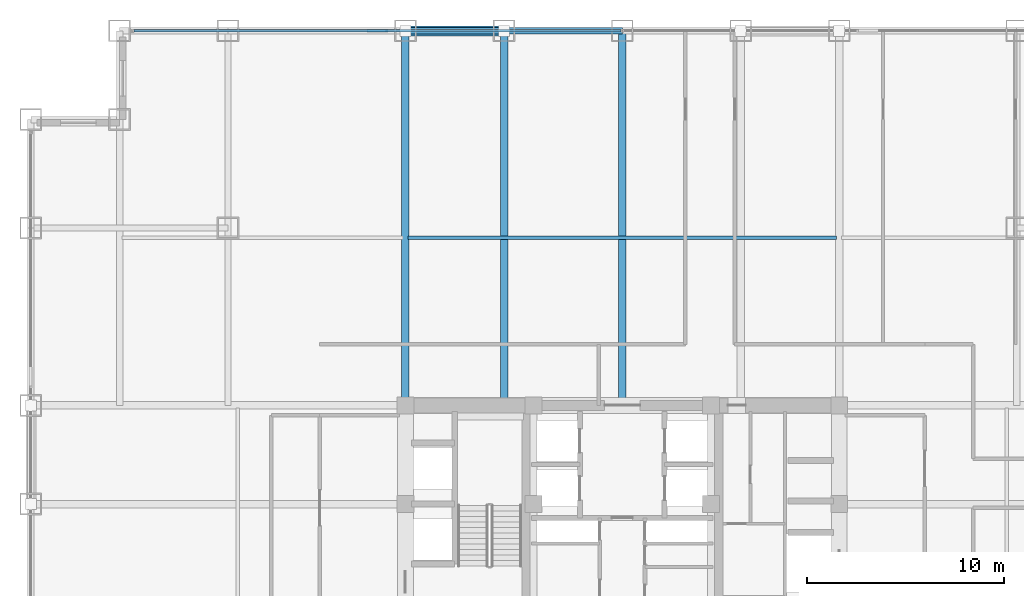
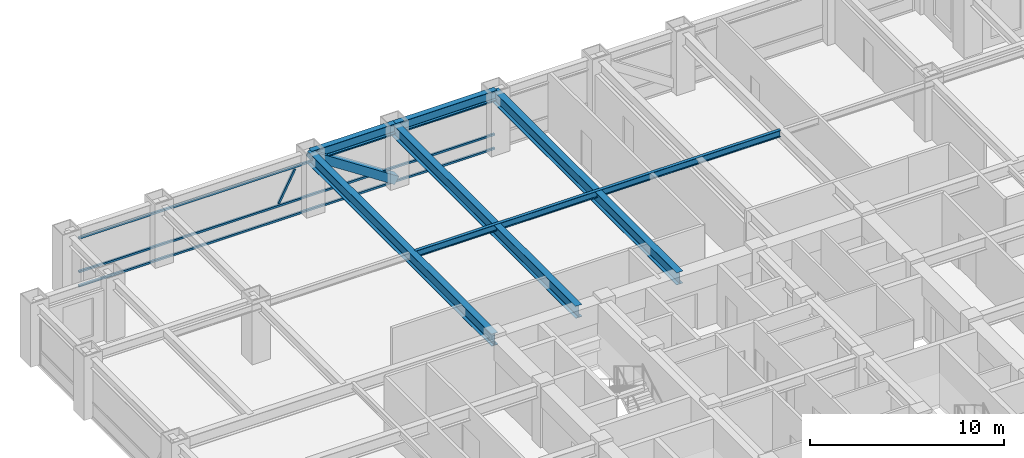
# One storey, part 15 of 24: 6 beams, 5 members, 1 element without a shape of its own.
"""IFC4 building model written with IfcOpenShell, lengths in metres."""

from ifc_helpers import new_model, si_unit, direction, frame, origin, origin_2d, place, context, subcontext, project, spatial, hollow_rectangle, i_section, extrude, source, transform, mapped, material, material_profile, profile_set, type_object, element, aggregate, save


model = new_model("IFC4")

# Units and contexts
model_context = context("Model", 3, precision=1e-05, world=origin(), true_north=direction((0.0, 1.0)))
body_context = subcontext(model_context, "Body", "Model", "MODEL_VIEW")
ifc_project = project(units=[si_unit("LENGTHUNIT", "METRE"), si_unit("AREAUNIT", "SQUARE_METRE"), si_unit("VOLUMEUNIT", "CUBIC_METRE"), si_unit("PLANEANGLEUNIT", "RADIAN"), si_unit("MASSUNIT", "GRAM", prefix="KILO")], contexts=[model_context])

# Site, building, storey
site_placement = place(None, origin())
site = spatial("IfcSite", under=ifc_project, at=site_placement, CompositionType="ELEMENT")
building_placement = place(site_placement, origin())
building = spatial("IfcBuilding", under=site, at=building_placement, Name="Khorayat Bourse Tower", CompositionType="ELEMENT")
storey_placement = place(building_placement, frame((0.0, 0.0, 163.10009765625)))
storey = spatial("IfcBuildingStorey", under=building, at=storey_placement, Name="L37", CompositionType="ELEMENT", Elevation=163.10009765625)

# Beams
ifc_material_1 = material(Name="Steel ASTM A992 Grade 50", Category="steel")
ifc_material_profile_1 = material_profile(ifc_material_1, i_section(OverallWidth=0.381103515625, OverallDepth=0.77294921875, WebThickness=0.0166015625, FlangeThickness=0.027587890625, FilletRadius=0.01806640625, at=origin_2d()), Name="W760X257")
ifc_profile_set_1 = profile_set([ifc_material_profile_1], Name="Steel ASTM A992 Grade 50")
beam_type_1 = type_object("IfcBeamType", Name="BM-GIRD-760", PredefinedType="BEAM", material=ifc_profile_set_1)
shared_shape_1 = source(origin(), body_context, "Body", "SweptSolid", [
    extrude(i_section(OverallWidth=0.381103515625, OverallDepth=0.77294921875, WebThickness=0.0166015625, FlangeThickness=0.027587890625, FilletRadius=0.01806640625, at=origin_2d()), origin(), (0.0, 0.0, 1.0), 19.0),
])
for number, where, z_axis, x_axis, name in (
    (1, (-11.0, 11.0, 3.393310546875), (0.0, 1.0, 0.0), (-1.0, 0.0, 0.0), "L37 BM-GIRD-760 BM-L37-RADY-064"),
    (2, (-6.0, 11.0, 3.393310546875), (0.0, 1.0, 0.0), (-1.0, 0.0, 0.0), "L37 BM-GIRD-760 BM-L37-RADY-066"),
    (3, (0.0, 11.0, 3.393310546875), (0.0, 1.0, 0.0), (-1.0, 0.0, 0.0), "L37 BM-GIRD-760 BM-L37-RADY-068"),
):
    element("IfcBeam", number, at=place(storey_placement, frame(where, z_axis=z_axis, x_axis=x_axis)), inside=storey, type_object=beam_type_1, Name=name, PredefinedType="BEAM", context=body_context, shape_type="MappedRepresentation", body=[
        mapped(shared_shape_1, transform((0.0, 0.0, 0.0), scale=1.0)),
    ])
ifc_material_profile_2 = material_profile(ifc_material_1, i_section(OverallWidth=0.180908203125, OverallDepth=0.4169921875, WebThickness=0.010986328125, FlangeThickness=0.018310546875, FilletRadius=0.011962890625, at=origin_2d()), Name="W410X85")
ifc_profile_set_2 = profile_set([ifc_material_profile_2], Name="Steel ASTM A992 Grade 50")
beam_type_2 = type_object("IfcBeamType", Name="BM-JOIST-410", PredefinedType="JOIST", material=ifc_profile_set_2)
shared_shape_2 = source(origin(), body_context, "Body", "SweptSolid", [
    extrude(i_section(OverallWidth=0.180908203125, OverallDepth=0.4169921875, WebThickness=0.010986328125, FlangeThickness=0.018310546875, FilletRadius=0.011962890625, at=origin_2d()), origin(), (0.0, 0.0, 1.0), 21.740234375),
])
beam_1_placement = place(storey_placement, frame((-10.8701171875, 19.5, 3.5712890625), z_axis=(1.0, 0.0, 0.0), x_axis=(0.0, 1.0, 0.0)))
element("IfcBeam", 4, at=beam_1_placement, inside=storey, type_object=beam_type_2, Name="L37 BM-JOIST-410 BM-L37-JSTX-100", PredefinedType="JOIST", context=body_context, shape_type="MappedRepresentation", body=[
    mapped(shared_shape_2, transform((0.0, 0.0, 0.0), scale=1.0)),
])
ifc_material_profile_3 = material_profile(ifc_material_1, i_section(OverallWidth=0.324951171875, OverallDepth=0.615966796875, WebThickness=0.013916015625, FlangeThickness=0.021484375, FilletRadius=0.01611328125, at=origin_2d()), Name="W610X174")
ifc_profile_set_3 = profile_set([ifc_material_profile_3], Name="Steel ASTM A992 Grade 50")
beam_type_3 = type_object("IfcBeamType", Name="BM-SPAN-610", PredefinedType="SPANDREL", material=ifc_profile_set_3)
shared_shape_3 = source(origin(), body_context, "Body", "SweptSolid", [
    extrude(i_section(OverallWidth=0.324951171875, OverallDepth=0.615966796875, WebThickness=0.013916015625, FlangeThickness=0.021484375, FilletRadius=0.01611328125, at=origin_2d()), origin(), (0.0, 0.0, 1.0), 5.0),
])
beam_2_placement = place(storey_placement, frame((-11.0, 30.0, 3.471923828125), z_axis=(1.0, 0.0, 0.0), x_axis=(0.0, 1.0, 0.0)))
element("IfcBeam", 5, at=beam_2_placement, inside=storey, type_object=beam_type_3, Name="L37 BM-SPAN-610 BM-L37-SPN-049", PredefinedType="SPANDREL", context=body_context, shape_type="MappedRepresentation", body=[
    mapped(shared_shape_3, transform((0.0, 0.0, 0.0), scale=1.0)),
])
shared_shape_4 = source(origin(), body_context, "Body", "SweptSolid", [
    extrude(i_section(OverallWidth=0.324951171875, OverallDepth=0.615966796875, WebThickness=0.013916015625, FlangeThickness=0.021484375, FilletRadius=0.01611328125, at=origin_2d()), origin(), (0.0, 0.0, 1.0), 6.0),
])
beam_3_placement = place(storey_placement, frame((-6.0, 30.0, 3.471923828125), z_axis=(1.0, 0.0, 0.0), x_axis=(0.0, 1.0, 0.0)))
element("IfcBeam", 6, at=beam_3_placement, inside=storey, type_object=beam_type_3, Name="L37 BM-SPAN-610 BM-L37-SPN-048", PredefinedType="SPANDREL", context=body_context, shape_type="MappedRepresentation", body=[
    mapped(shared_shape_4, transform((0.0, 0.0, 0.0), scale=1.0)),
])

# Member
ifc_material_2 = material(Name="Steel EN 10025-4 S460M", Category="steel")
ifc_material_profile_4 = material_profile(ifc_material_2, hollow_rectangle(XDim=0.5, YDim=0.5, WallThickness=0.028076171875, at=origin_2d()), Name="HSS 500x500x28")
ifc_profile_set_4 = profile_set([ifc_material_profile_4], Name="Steel EN 10025-4 S460M")
member_type_1 = type_object("IfcMemberType", Name="MBR-TUBE-500", PredefinedType="BRACE", material=ifc_profile_set_4)
shared_shape_5 = source(origin(), body_context, "Body", "SweptSolid", [
    extrude(hollow_rectangle(XDim=0.5, YDim=0.5, WallThickness=0.028076171875, at=origin_2d()), origin(), (0.0, 0.0, 1.0), 5.979736328125),
])
member_1_placement = place(storey_placement, frame((-11.0, 30.0, 3.52978515625), z_axis=(0.836160261256, 0.0, -0.548485202623), x_axis=(0.0, 1.0, 0.0)))
element("IfcMember", 7, at=member_1_placement, inside=storey, type_object=member_type_1, Name="L37 Perimeter Tube Brace 03", PredefinedType="BRACE", context=body_context, shape_type="MappedRepresentation", body=[
    mapped(shared_shape_5, transform((0.0, 0.0, 0.0), scale=1.0)),
])

# Curtain wall, members
ifc_material_3 = material(Name="Aluminium EN AW-6063 T6", Category="aluminium")
curtain_wall_type = type_object("IfcCurtainWallType", Name="CW-SYS-03", PredefinedType="NOTDEFINED", material=ifc_material_3)
curtain_wall_placement = place(storey_placement, origin())
curtain_wall = element("IfcCurtainWall", 8, at=curtain_wall_placement, inside=storey, type_object=curtain_wall_type, Name="L37 Curtain Wall CW-L37-N1", PredefinedType="NOTDEFINED")
ifc_material_profile_5 = material_profile(ifc_material_3, hollow_rectangle(XDim=0.1201171875, YDim=0.1201171875, WallThickness=0.0048828125, at=origin_2d()), Name="ALU 120x120x5")
ifc_profile_set_5 = profile_set([ifc_material_profile_5], Name="Aluminium EN AW-6063 T6")
member_type_2 = type_object("IfcMemberType", Name="CWM-DIAG-120", PredefinedType="MULLION", material=ifc_profile_set_5)
shared_shape_6 = source(origin(), body_context, "Body", "SweptSolid", [
    extrude(hollow_rectangle(XDim=0.1201171875, YDim=0.1201171875, WallThickness=0.0048828125, at=origin_2d()), origin(), (0.0, 0.0, 1.0), 2.079345703125),
])
member_2_placement = place(storey_placement, frame((-12.904296875, 30.0, 1.08984375), z_axis=(0.465760949701, 0.0, 0.884910581773), x_axis=(0.0, 1.0, 0.0)))
member_2 = element("IfcMember", 9, at=member_2_placement, type_object=member_type_2, Name="CW-L37-N1 Faceted Diagonal Mullion 1", PredefinedType="MULLION", context=body_context, shape_type="MappedRepresentation", body=[
    mapped(shared_shape_6, transform((0.0, 0.0, 0.0), scale=1.0)),
])
ifc_material_profile_6 = material_profile(ifc_material_3, hollow_rectangle(XDim=0.1201171875, YDim=0.1201171875, WallThickness=0.0048828125, at=origin_2d()), Name="ALU 120x120x5")
ifc_profile_set_6 = profile_set([ifc_material_profile_6], Name="Aluminium EN AW-6063 T6")
member_type_3 = type_object("IfcMemberType", Name="CWT-HORZ-120", PredefinedType="USERDEFINED", material=ifc_profile_set_6)
shared_shape_7 = source(origin(), body_context, "Body", "SweptSolid", [
    extrude(hollow_rectangle(XDim=0.1201171875, YDim=0.1201171875, WallThickness=0.0048828125, at=origin_2d()), origin(), (0.0, 0.0, 1.0), 24.719970703125),
])
member_3_placement = place(storey_placement, frame((-24.780029296875, 30.0, 0.059814453125), z_axis=(1.0, 0.0, 0.0), x_axis=(0.0, 1.0, 0.0)))
member_3 = element("IfcMember", 10, at=member_3_placement, type_object=member_type_3, Name="CW-L37-N1 Horizontal Transom 1-1", ObjectType="TRANSOM", PredefinedType="USERDEFINED", context=body_context, shape_type="MappedRepresentation", body=[
    mapped(shared_shape_7, transform((0.0, 0.0, 0.0), scale=1.0)),
])
member_4_placement = place(storey_placement, frame((-24.780029296875, 30.0, 0.949951171875), z_axis=(1.0, 0.0, 0.0), x_axis=(0.0, 1.0, 0.0)))
member_4 = element("IfcMember", 11, at=member_4_placement, type_object=member_type_3, Name="CW-L37-N1 Horizontal Transom 1-2", ObjectType="TRANSOM", PredefinedType="USERDEFINED", context=body_context, shape_type="MappedRepresentation", body=[
    mapped(shared_shape_7, transform((0.0, 0.0, 0.0), scale=1.0)),
])
member_5_placement = place(storey_placement, frame((-24.780029296875, 30.0, 3.06982421875), z_axis=(1.0, 0.0, 0.0), x_axis=(0.0, 1.0, 0.0)))
member_5 = element("IfcMember", 12, at=member_5_placement, type_object=member_type_3, Name="CW-L37-N1 Horizontal Transom 1-3", ObjectType="TRANSOM", PredefinedType="USERDEFINED", context=body_context, shape_type="MappedRepresentation", body=[
    mapped(shared_shape_7, transform((0.0, 0.0, 0.0), scale=1.0)),
])
aggregate(curtain_wall, [member_3, member_4, member_5, member_2])

save(model, "model.ifc")
